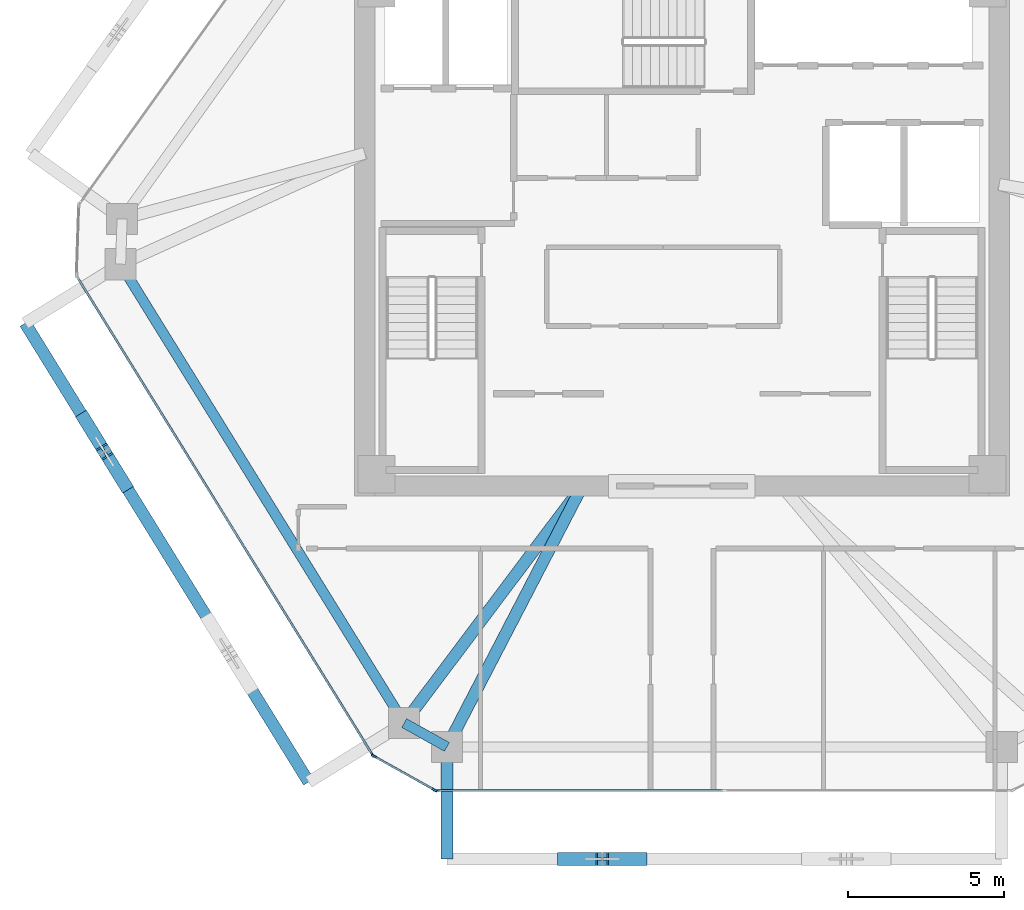
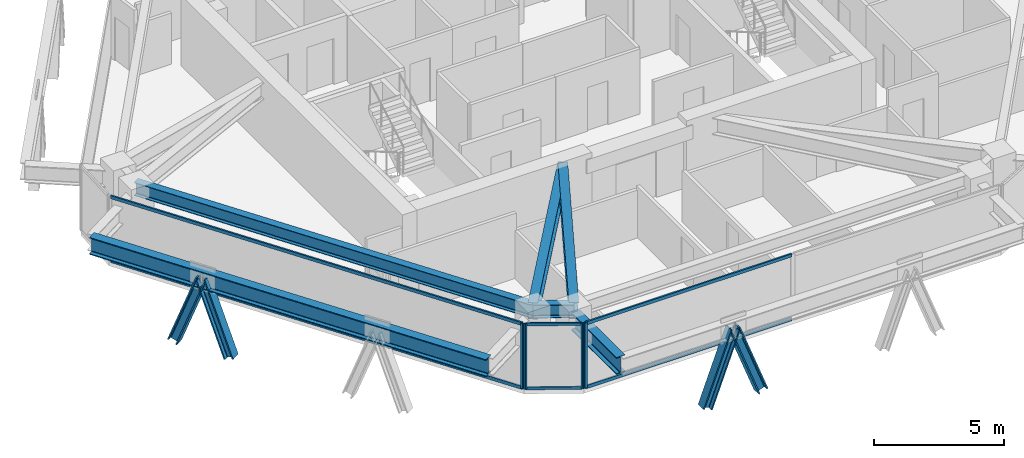
# One storey, part 2 of 14: 14 members, 6 beams, 3 elements without a shape of their own.
"""IFC4 building model written with IfcOpenShell, lengths in metres."""

from ifc_helpers import new_model, si_unit, direction, frame, origin, origin_2d, place, context, subcontext, project, spatial, rectangle, i_section, extrude, source, transform, mapped, material, layer, layer_set, material_profile, profile_set, type_object, type_shapes, element, aggregate, save


model = new_model("IFC4")

# Units and contexts
model_context = context("Model", 3, precision=1e-05, world=origin(), true_north=direction((0.0, 1.0)))
body_context = subcontext(model_context, "Body", "Model", "MODEL_VIEW")
ifc_project = project(units=[si_unit("LENGTHUNIT", "METRE"), si_unit("AREAUNIT", "SQUARE_METRE"), si_unit("VOLUMEUNIT", "CUBIC_METRE"), si_unit("PLANEANGLEUNIT", "RADIAN"), si_unit("MASSUNIT", "GRAM", prefix="KILO")], contexts=[model_context])

# Site, building, storey
site_placement = place(None, origin())
site = spatial("IfcSite", under=ifc_project, at=site_placement, CompositionType="ELEMENT")
building_placement = place(site_placement, origin())
building = spatial("IfcBuilding", under=site, at=building_placement, Name="Durnholm Broadcast Tower", CompositionType="ELEMENT")
storey_placement = place(building_placement, frame((0.0, 0.0, 173.800048828125)))
storey = spatial("IfcBuildingStorey", under=building, at=storey_placement, Name="L47", CompositionType="ELEMENT", Elevation=173.800048828125)

# Beams
ifc_material_1 = material(Name="Steel ASTM A992 Grade 50", Category="steel")
ifc_material_profile_1 = material_profile(ifc_material_1, i_section(OverallWidth=0.385009765625, OverallDepth=0.802978515625, WebThickness=0.023681640625, FlangeThickness=0.0419921875, FilletRadius=0.032958984375, at=origin_2d()), Name="W30X261")
ifc_profile_set_1 = profile_set([ifc_material_profile_1], Name="Steel ASTM A992 Grade 50")
beam_type_1 = type_object("IfcBeamType", Name="BM-EXO-TIE", PredefinedType="USERDEFINED", material=ifc_profile_set_1)
shared_shape_1 = source(origin(), body_context, "Body", "SweptSolid", [
    extrude(i_section(OverallWidth=0.385009765625, OverallDepth=0.802978515625, WebThickness=0.023681640625, FlangeThickness=0.0419921875, FilletRadius=0.032958984375, at=origin_2d()), origin(), (0.0, 0.0, 1.0), 3.4560546875),
])
beam_1_placement = place(storey_placement, frame((-7.53955078125, -16.68603515625, 2.30859375), z_axis=(0.0, -1.0, 0.0), x_axis=(1.0, 0.0, 0.0)))
element("IfcBeam", 1, at=beam_1_placement, inside=storey, type_object=beam_type_1, Name="L47 exoskeleton stand-off tie bracket F1.1", ObjectType="GIRDER", PredefinedType="USERDEFINED", context=body_context, shape_type="MappedRepresentation", body=[
    mapped(shared_shape_1, transform((0.0, 0.0, 0.0), x_axis=(1.0, 0.0, 0.0), y_axis=(0.0, 1.0, 0.0), z_axis=(0.0, 0.0, 1.0), scale=1.0)),
])
ifc_material_profile_2 = material_profile(ifc_material_1, i_section(OverallWidth=0.3251953125, OverallDepth=0.6162109375, WebThickness=0.013916015625, FlangeThickness=0.021484375, FilletRadius=0.02783203125, at=origin_2d()), Name="W24X117")
ifc_profile_set_2 = profile_set([ifc_material_profile_2], Name="Steel ASTM A992 Grade 50")
beam_type_2 = type_object("IfcBeamType", Name="STL-SP-W24X117", PredefinedType="SPANDREL", material=ifc_profile_set_2)
shared_shape_2 = source(origin(), body_context, "Body", "SweptSolid", [
    extrude(i_section(OverallWidth=0.3251953125, OverallDepth=0.6162109375, WebThickness=0.013916015625, FlangeThickness=0.021484375, FilletRadius=0.02783203125, at=origin_2d()), origin(), (0.0, 0.0, 1.0), 17.3037109375),
])
beam_2_placement = place(storey_placement, frame((-8.91259765625, -15.7763671875, 2.73681640625), z_axis=(-0.525695324718, 0.850672925142, 0.0), x_axis=(-0.850672925142, -0.525695324718, 0.0)))
element("IfcBeam", 2, at=beam_2_placement, inside=storey, type_object=beam_type_2, Name="L47 perimeter spandrel girder 01", PredefinedType="SPANDREL", context=body_context, shape_type="MappedRepresentation", body=[
    mapped(shared_shape_2, transform((0.0, 0.0, 0.0), x_axis=(1.0, 0.0, 0.0), y_axis=(0.0, 1.0, 0.0), z_axis=(0.0, 0.0, 1.0), scale=1.0)),
])
shared_shape_3 = source(origin(), body_context, "Body", "SweptSolid", [
    extrude(i_section(OverallWidth=0.3251953125, OverallDepth=0.6162109375, WebThickness=0.013916015625, FlangeThickness=0.021484375, FilletRadius=0.02783203125, at=origin_2d()), origin(), (0.0, 0.0, 1.0), 1.572021484375),
])
type_shapes(beam_type_2, [shared_shape_2, shared_shape_3])
beam_3_placement = place(storey_placement, frame((-7.53955078125, -16.5419921875, 2.73681640625), z_axis=(-0.873394362663, 0.487013641769, 0.0), x_axis=(-0.487013641769, -0.873394362663, 0.0)))
element("IfcBeam", 3, at=beam_3_placement, inside=storey, type_object=beam_type_2, Name="L47 perimeter spandrel girder 12", PredefinedType="SPANDREL", context=body_context, shape_type="MappedRepresentation", body=[
    mapped(shared_shape_3, transform((0.0, 0.0, 0.0), x_axis=(1.0, 0.0, 0.0), y_axis=(0.0, 1.0, 0.0), z_axis=(0.0, 0.0, 1.0), scale=1.0)),
])
shared_shape_4 = source(origin(), body_context, "Body", "SweptSolid", [
    extrude(i_section(OverallWidth=0.385009765625, OverallDepth=0.802978515625, WebThickness=0.023681640625, FlangeThickness=0.0419921875, FilletRadius=0.032958984375, at=origin_2d()), origin(), (0.0, 0.0, 1.0), 17.303466796875),
])
type_shapes(beam_type_1, [shared_shape_1, shared_shape_4])
beam_4_placement = place(storey_placement, frame((-21.071533203125, -2.94921875, 2.30859375), z_axis=(0.525701634347, -0.850669025911, 0.0), x_axis=(0.850669025911, 0.525701634347, 0.0)))
element("IfcBeam", 4, at=beam_4_placement, inside=storey, type_object=beam_type_1, Name="L47 exoskeleton collector spandrel F6", PredefinedType="SPANDREL", context=body_context, shape_type="MappedRepresentation", body=[
    mapped(shared_shape_4, transform((0.0, 0.0, 0.0), x_axis=(1.0, 0.0, 0.0), y_axis=(0.0, 1.0, 0.0), z_axis=(0.0, 0.0, 1.0), scale=1.0)),
])
ifc_material_profile_3 = material_profile(ifc_material_1, i_section(OverallWidth=0.380615234375, OverallDepth=0.773193359375, WebThickness=0.0166015625, FlangeThickness=0.027099609375, FilletRadius=0.032958984375, at=origin_2d()), Name="W30X173")
ifc_profile_set_3 = profile_set([ifc_material_profile_3], Name="Steel ASTM A992 Grade 50")
beam_type_3 = type_object("IfcBeamType", Name="STL-GR-W30X173", PredefinedType="USERDEFINED", material=ifc_profile_set_3)
shared_shape_5 = source(origin(), body_context, "Body", "SweptSolid", [
    extrude(i_section(OverallWidth=0.380615234375, OverallDepth=0.773193359375, WebThickness=0.0166015625, FlangeThickness=0.027099609375, FilletRadius=0.032958984375, at=origin_2d()), origin(), (0.0, 0.0, 1.0), 9.508544921875),
])
beam_5_placement = place(storey_placement, frame((-3.199951171875, -8.175048828125, 2.658447265625), z_axis=(-0.600784359039, -0.799411129479, 0.0), x_axis=(0.799411129479, -0.600784359039, 0.0)))
element("IfcBeam", 5, at=beam_5_placement, inside=storey, type_object=beam_type_3, Name="L47 radial primary floor girder 01", ObjectType="GIRDER", PredefinedType="USERDEFINED", context=body_context, shape_type="MappedRepresentation", body=[
    mapped(shared_shape_5, transform((0.0, 0.0, 0.0), x_axis=(1.0, 0.0, 0.0), y_axis=(0.0, 1.0, 0.0), z_axis=(0.0, 0.0, 1.0), scale=1.0)),
])
shared_shape_6 = source(origin(), body_context, "Body", "SweptSolid", [
    extrude(i_section(OverallWidth=0.380615234375, OverallDepth=0.773193359375, WebThickness=0.0166015625, FlangeThickness=0.027099609375, FilletRadius=0.032958984375, at=origin_2d()), origin(), (0.0, 0.0, 1.0), 9.42529296875),
])
type_shapes(beam_type_3, [shared_shape_5, shared_shape_6])
beam_6_placement = place(storey_placement, frame((-3.199951171875, -8.175048828125, 2.658447265625), z_axis=(-0.460416206992, -0.887703169048, 0.0), x_axis=(0.887703169048, -0.460416206992, 0.0)))
element("IfcBeam", 6, at=beam_6_placement, inside=storey, type_object=beam_type_3, Name="L47 radial primary floor girder 12", ObjectType="GIRDER", PredefinedType="USERDEFINED", context=body_context, shape_type="MappedRepresentation", body=[
    mapped(shared_shape_6, transform((0.0, 0.0, 0.0), x_axis=(1.0, 0.0, 0.0), y_axis=(0.0, 1.0, 0.0), z_axis=(0.0, 0.0, 1.0), scale=1.0)),
])

# Members
ifc_material_2 = material(Name="Steel ASTM A913 Grade 65", Category="steel")
ifc_material_profile_4 = material_profile(ifc_material_2, i_section(OverallWidth=0.412109375, OverallDepth=0.434814453125, WebThickness=0.035888671875, FlangeThickness=0.057373046875, FilletRadius=0.030517578125, at=origin_2d()), Name="W14X311")
ifc_profile_set_4 = profile_set([ifc_material_profile_4], Name="Steel ASTM A913 Grade 65")
member_type_1 = type_object("IfcMemberType", Name="STL-DG-W14X311", PredefinedType="BRACE", material=ifc_profile_set_4)
shared_shape_7 = source(origin(), body_context, "Body", "SweptSolid", [
    extrude(i_section(OverallWidth=0.412109375, OverallDepth=0.434814453125, WebThickness=0.035888671875, FlangeThickness=0.057373046875, FilletRadius=0.030517578125, at=origin_2d()), origin(), (0.0, 0.0, 1.0), 3.523193359375),
])
type_shapes(member_type_1, [shared_shape_7])
for number, where, z_axis, x_axis, name in (
    (7, (-3.790283203125, -20.14208984375, -0.991455078125), (0.350158790071, 0.0, 0.936690355313), (0.0, 1.0, 0.0), "L47 stand-off diagrid brace F1.D1.1"),
    (8, (-1.32275390625, -20.14208984375, -0.991455078125), (-0.350219588454, 0.0, 0.936667625075), (0.0, -1.0, 0.0), "L47 stand-off diagrid brace F1.D1.2"),
    (9, (-19.173095703125, -6.021240234375, -0.991455078125), (0.18411903749, -0.297902800967, 0.936671821509), (0.850644447398, 0.525741404219, 0.0), "L47 stand-off diagrid brace F6.D1.1"),
    (10, (-17.8759765625, -8.120361328125, -0.991455078125), (-0.184052089489, 0.297906601172, 0.936683770188), (-0.850732935913, -0.525598203719, 0.0), "L47 stand-off diagrid brace F6.D1.2"),
):
    element("IfcMember", number, at=place(storey_placement, frame(where, z_axis=z_axis, x_axis=x_axis)), inside=storey, type_object=member_type_1, Name=name, PredefinedType="BRACE", context=body_context, shape_type="MappedRepresentation", body=[
        mapped(shared_shape_7, transform((0.0, 0.0, 0.0), x_axis=(1.0, 0.0, 0.0), y_axis=(0.0, 1.0, 0.0), z_axis=(0.0, 0.0, 1.0), scale=1.0)),
    ])

# Curtain wall, members
ifc_material_3 = material(Name="Aluminium and Solar Control IGU", Category="aluminium")
ifc_layer_1 = layer(ifc_material_3, 0.1650390625)
ifc_layer_set_1 = layer_set([ifc_layer_1], Name="Aluminium and Solar Control IGU")
curtain_wall_type_1 = type_object("IfcCurtainWallType", Name="CW-SYS-5", PredefinedType="NOTDEFINED", material=ifc_layer_set_1)
curtain_wall_1_placement = place(storey_placement, origin())
curtain_wall_1 = element("IfcCurtainWall", 11, at=curtain_wall_1_placement, inside=storey, type_object=curtain_wall_type_1, Name="L47 curtain wall CW-CORNER CW-L47-CRN-11", PredefinedType="NOTDEFINED")
ifc_material_4 = material(Name="Aluminium 6063-T6", Category="aluminium")
ifc_material_profile_5 = material_profile(ifc_material_4, rectangle(XDim=0.06494140625, YDim=0.1650390625, at=origin_2d()), Name="CWM65X165")
ifc_profile_set_5 = profile_set([ifc_material_profile_5], Name="Aluminium 6063-T6")
member_type_2 = type_object("IfcMemberType", Name="CW-SYS-5-MUL", PredefinedType="MULLION", material=ifc_profile_set_5)
shared_shape_8 = source(origin(), body_context, "Body", "SweptSolid", [
    extrude(rectangle(XDim=0.06494140625, YDim=0.1650390625, at=origin_2d()), origin(), (0.0, 0.0, 1.0), 3.06005859375),
])
type_shapes(member_type_2, [shared_shape_8])
member_1_placement = place(storey_placement, frame((-7.931884765625, -17.92626953125, 0.0), z_axis=(0.0, 0.0, 1.0), x_axis=(-0.486986043316, -0.873409751271, 0.0)))
member_1 = element("IfcMember", 12, at=member_1_placement, type_object=member_type_2, Name="CW-CORNER mullion 1", PredefinedType="MULLION", context=body_context, shape_type="MappedRepresentation", body=[
    mapped(shared_shape_8, transform((0.0, 0.0, 0.0), x_axis=(1.0, 0.0, 0.0), y_axis=(0.0, 1.0, 0.0), z_axis=(0.0, 0.0, 1.0), scale=1.0)),
])
member_2_placement = place(storey_placement, frame((-9.884033203125, -16.837646484375, 0.0), z_axis=(0.0, 0.0, 1.0), x_axis=(-0.486986043316, -0.873409751271, 0.0)))
member_2 = element("IfcMember", 13, at=member_2_placement, type_object=member_type_2, Name="CW-CORNER mullion 2", PredefinedType="MULLION", context=body_context, shape_type="MappedRepresentation", body=[
    mapped(shared_shape_8, transform((0.0, 0.0, 0.0), x_axis=(1.0, 0.0, 0.0), y_axis=(0.0, 1.0, 0.0), z_axis=(0.0, 0.0, 1.0), scale=1.0)),
])
ifc_material_profile_6 = material_profile(ifc_material_4, rectangle(XDim=0.06494140625, YDim=0.1298828125, at=origin_2d()), Name="CWT65X130")
ifc_profile_set_6 = profile_set([ifc_material_profile_6], Name="Aluminium 6063-T6")
member_type_3 = type_object("IfcMemberType", Name="CW-SYS-5-TRN", PredefinedType="USERDEFINED", material=ifc_profile_set_6)
shared_shape_9 = source(origin(), body_context, "Body", "SweptSolid", [
    extrude(rectangle(XDim=0.06494140625, YDim=0.1298828125, at=origin_2d()), origin(), (0.0, 0.0, 1.0), 2.169921875),
])
type_shapes(member_type_3, [shared_shape_9])
member_3_placement = place(storey_placement, frame((-7.960205078125, -17.910400390625, 0.032470703125), z_axis=(-0.873381360539, 0.487036958621, 0.0), x_axis=(-0.487036958621, -0.873381360539, 0.0)))
member_3 = element("IfcMember", 14, at=member_3_placement, type_object=member_type_3, Name="CW-CORNER transom 1.1", ObjectType="TRANSOM", PredefinedType="USERDEFINED", context=body_context, shape_type="MappedRepresentation", body=[
    mapped(shared_shape_9, transform((0.0, 0.0, 0.0), x_axis=(1.0, 0.0, 0.0), y_axis=(0.0, 1.0, 0.0), z_axis=(0.0, 0.0, 1.0), scale=1.0)),
])
member_4_placement = place(storey_placement, frame((-7.960205078125, -17.910400390625, 3.02734375), z_axis=(-0.873381360539, 0.487036958621, 0.0), x_axis=(-0.487036958621, -0.873381360539, 0.0)))
member_4 = element("IfcMember", 15, at=member_4_placement, type_object=member_type_3, Name="CW-CORNER transom 1.2", ObjectType="TRANSOM", PredefinedType="USERDEFINED", context=body_context, shape_type="MappedRepresentation", body=[
    mapped(shared_shape_9, transform((0.0, 0.0, 0.0), x_axis=(1.0, 0.0, 0.0), y_axis=(0.0, 1.0, 0.0), z_axis=(0.0, 0.0, 1.0), scale=1.0)),
])
aggregate(curtain_wall_1, [member_1, member_2, member_3, member_4])

ifc_layer_2 = layer(ifc_material_3, 0.18994140625)
ifc_layer_set_2 = layer_set([ifc_layer_2], Name="Aluminium and Solar Control IGU")
curtain_wall_type_2 = type_object("IfcCurtainWallType", Name="CW-SYS-4", PredefinedType="NOTDEFINED", material=ifc_layer_set_2)
curtain_wall_2_placement = place(storey_placement, origin())
curtain_wall_2 = element("IfcCurtainWall", 16, at=curtain_wall_2_placement, inside=storey, type_object=curtain_wall_type_2, Name="L47 curtain wall CW-Z34-VIS CW-L47-F10", PredefinedType="NOTDEFINED")
ifc_material_profile_7 = material_profile(ifc_material_4, rectangle(XDim=0.070068359375, YDim=0.14990234375, at=origin_2d()), Name="CWT70X150")
ifc_profile_set_7 = profile_set([ifc_material_profile_7], Name="Aluminium 6063-T6")
member_type_4 = type_object("IfcMemberType", Name="CW-SYS-4-TRN", PredefinedType="USERDEFINED", material=ifc_profile_set_7)
shared_shape_10 = source(origin(), body_context, "Body", "SweptSolid", [
    extrude(rectangle(XDim=0.070068359375, YDim=0.14990234375, at=origin_2d()), origin(), (0.0, 0.0, 1.0), 9.14453125),
])
member_5_placement = place(storey_placement, frame((1.31103515625, -17.94189453125, 0.034912109375), z_axis=(-1.0, 0.0, 0.0), x_axis=(0.0, -1.0, 0.0)))
member_5 = element("IfcMember", 17, at=member_5_placement, type_object=member_type_4, Name="CW-Z34-VIS transom 2.1", ObjectType="TRANSOM", PredefinedType="USERDEFINED", context=body_context, shape_type="MappedRepresentation", body=[
    mapped(shared_shape_10, transform((0.0, 0.0, 0.0), x_axis=(1.0, 0.0, 0.0), y_axis=(0.0, 1.0, 0.0), z_axis=(0.0, 0.0, 1.0), scale=1.0)),
])
member_6_placement = place(storey_placement, frame((1.31103515625, -17.94189453125, 3.02490234375), z_axis=(-1.0, 0.0, 0.0), x_axis=(0.0, -1.0, 0.0)))
member_6 = element("IfcMember", 18, at=member_6_placement, type_object=member_type_4, Name="CW-Z34-VIS transom 2.2", ObjectType="TRANSOM", PredefinedType="USERDEFINED", context=body_context, shape_type="MappedRepresentation", body=[
    mapped(shared_shape_10, transform((0.0, 0.0, 0.0), x_axis=(1.0, 0.0, 0.0), y_axis=(0.0, 1.0, 0.0), z_axis=(0.0, 0.0, 1.0), scale=1.0)),
])

curtain_wall_3_placement = place(storey_placement, origin())
curtain_wall_3 = element("IfcCurtainWall", 19, at=curtain_wall_3_placement, inside=storey, type_object=curtain_wall_type_2, Name="L47 curtain wall CW-Z34-VIS CW-L47-F12", PredefinedType="NOTDEFINED")
shared_shape_11 = source(origin(), body_context, "Body", "SweptSolid", [
    extrude(rectangle(XDim=0.070068359375, YDim=0.14990234375, at=origin_2d()), origin(), (0.0, 0.0, 1.0), 17.951171875),
])
type_shapes(member_type_4, [shared_shape_10, shared_shape_11])
member_7_placement = place(storey_placement, frame((-9.94921875, -16.762451171875, 0.034912109375), z_axis=(-0.525693813807, 0.850673858847, 0.0), x_axis=(-0.850673858847, -0.525693813807, 0.0)))
member_7 = element("IfcMember", 20, at=member_7_placement, type_object=member_type_4, Name="CW-Z34-VIS transom 1.1", ObjectType="TRANSOM", PredefinedType="USERDEFINED", context=body_context, shape_type="MappedRepresentation", body=[
    mapped(shared_shape_11, transform((0.0, 0.0, 0.0), x_axis=(1.0, 0.0, 0.0), y_axis=(0.0, 1.0, 0.0), z_axis=(0.0, 0.0, 1.0), scale=1.0)),
])
member_8_placement = place(storey_placement, frame((-9.94921875, -16.762451171875, 3.02490234375), z_axis=(-0.525693813807, 0.850673858847, 0.0), x_axis=(-0.850673858847, -0.525693813807, 0.0)))
member_8 = element("IfcMember", 21, at=member_8_placement, type_object=member_type_4, Name="CW-Z34-VIS transom 1.2", ObjectType="TRANSOM", PredefinedType="USERDEFINED", context=body_context, shape_type="MappedRepresentation", body=[
    mapped(shared_shape_11, transform((0.0, 0.0, 0.0), x_axis=(1.0, 0.0, 0.0), y_axis=(0.0, 1.0, 0.0), z_axis=(0.0, 0.0, 1.0), scale=1.0)),
])

# Member
ifc_material_profile_8 = material_profile(ifc_material_4, rectangle(XDim=0.070068359375, YDim=0.18994140625, at=origin_2d()), Name="CWM70X190")
ifc_profile_set_8 = profile_set([ifc_material_profile_8], Name="Aluminium 6063-T6")
member_type_5 = type_object("IfcMemberType", Name="CW-SYS-4-MUL", PredefinedType="MULLION", material=ifc_profile_set_8)
shared_shape_12 = source(origin(), body_context, "Body", "SweptSolid", [
    extrude(rectangle(XDim=0.070068359375, YDim=0.18994140625, at=origin_2d()), origin(), (0.0, 0.0, 1.0), 3.06005859375),
])
type_shapes(member_type_5, [shared_shape_12])
member_9_placement = place(storey_placement, frame((-7.868408203125, -17.94189453125, 0.0), z_axis=(0.0, 0.0, 1.0), x_axis=(0.0, -1.0, 0.0)))
member_9 = element("IfcMember", 22, at=member_9_placement, type_object=member_type_5, Name="CW-Z34-VIS mullion 3", PredefinedType="MULLION", context=body_context, shape_type="MappedRepresentation", body=[
    mapped(shared_shape_12, transform((0.0, 0.0, 0.0), x_axis=(1.0, 0.0, 0.0), y_axis=(0.0, 1.0, 0.0), z_axis=(0.0, 0.0, 1.0), scale=1.0)),
])

aggregate(curtain_wall_2, [member_9, member_5, member_6])

member_10_placement = place(storey_placement, frame((-9.9306640625, -16.792236328125, 0.0), z_axis=(0.0, 0.0, 1.0), x_axis=(-0.850671426092, -0.525697750452, 0.0)))
member_10 = element("IfcMember", 23, at=member_10_placement, type_object=member_type_5, Name="CW-Z34-VIS mullion 1", PredefinedType="MULLION", context=body_context, shape_type="MappedRepresentation", body=[
    mapped(shared_shape_12, transform((0.0, 0.0, 0.0), x_axis=(1.0, 0.0, 0.0), y_axis=(0.0, 1.0, 0.0), z_axis=(0.0, 0.0, 1.0), scale=1.0)),
])

aggregate(curtain_wall_3, [member_10, member_7, member_8])

save(model, "model.ifc")
